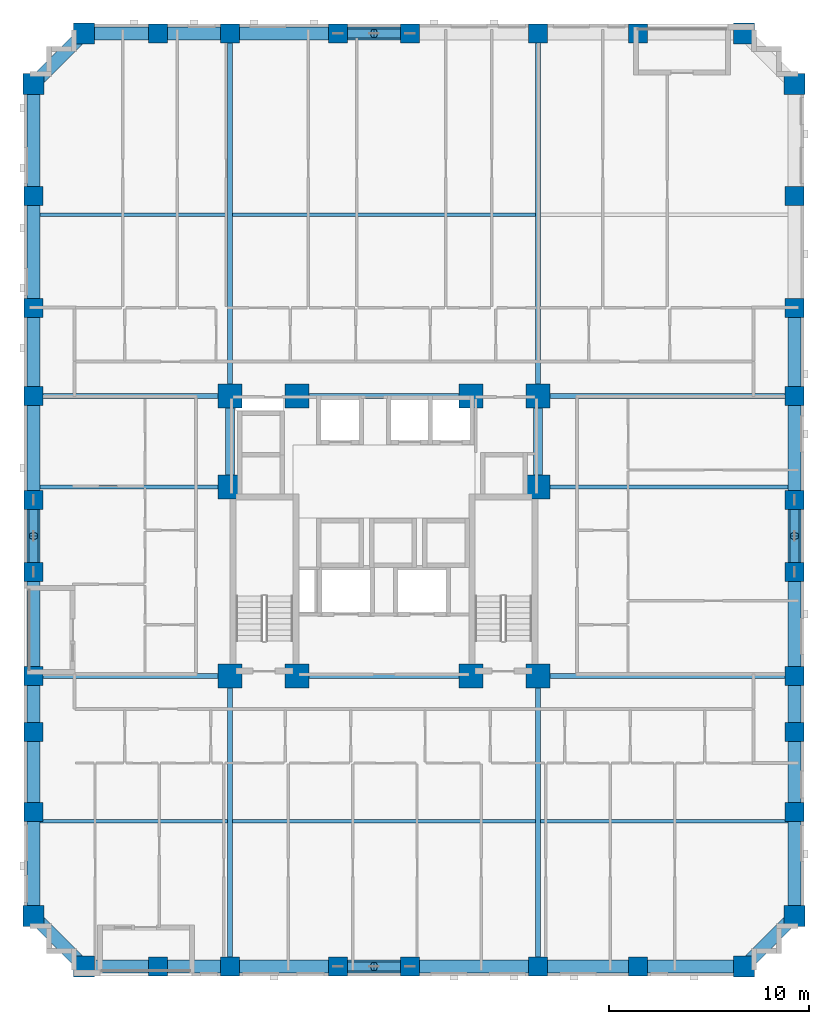
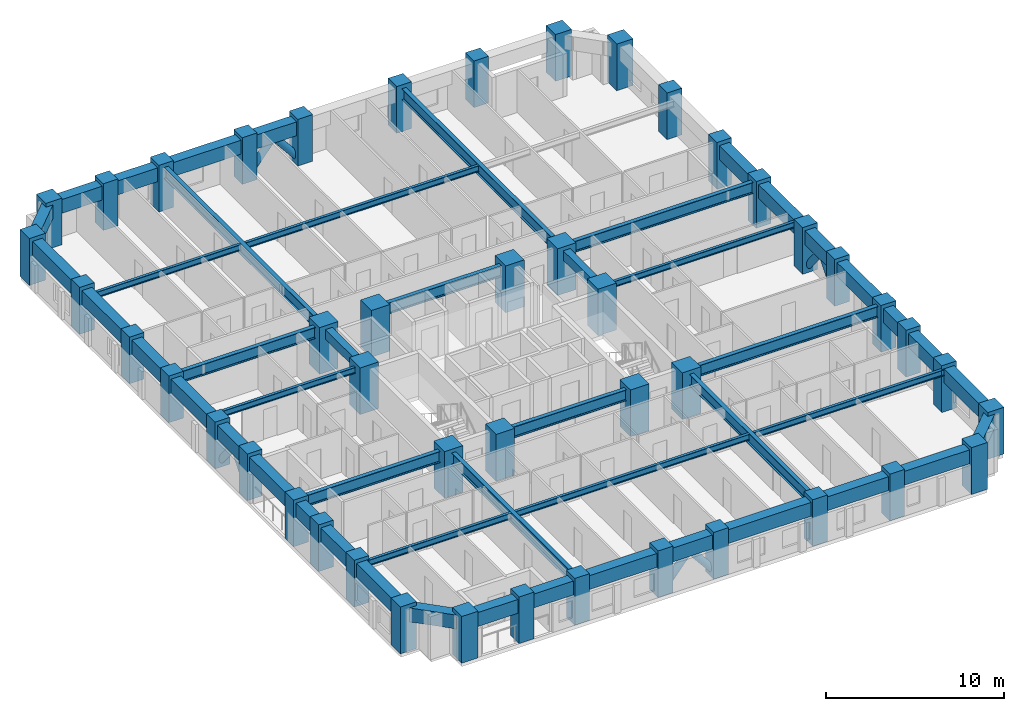
# One storey, part 1 of 14: 49 beams, 46 columns, 8 members.
"""IFC4 building model written with IfcOpenShell, lengths in metres."""

from ifc_helpers import new_model, si_unit, derived_unit, direction, frame, origin, origin_2d, place, context, subcontext, project, spatial, rectangle, hollow_circle, i_section, extrude, material, material_profile, profile_set, type_object, element, save


model = new_model("IFC4")

# Units and contexts
model_context = context("Model", 3, precision=1e-05, world=origin(), true_north=direction((0.0, 1.0)))
body_context = subcontext(model_context, "Body", "Model", "MODEL_VIEW")
ifc_project = project(units=[si_unit("LENGTHUNIT", "METRE"), si_unit("AREAUNIT", "SQUARE_METRE"), si_unit("VOLUMEUNIT", "CUBIC_METRE"), si_unit("PLANEANGLEUNIT", "RADIAN"), si_unit("MASSUNIT", "GRAM", prefix="KILO"), derived_unit("THERMALTRANSMITTANCEUNIT", [(si_unit("MASSUNIT", "GRAM", prefix="KILO"), 1), (si_unit("TIMEUNIT", "SECOND"), -3), (si_unit("THERMODYNAMICTEMPERATUREUNIT", "KELVIN"), -1)])], contexts=[model_context])

# Site, building, storey
site_placement = place(None, origin())
site = spatial("IfcSite", under=ifc_project, at=site_placement, CompositionType="ELEMENT")
building_placement = place(site_placement, origin())
building = spatial("IfcBuilding", under=site, at=building_placement, Name="Korrvale Station Residences", CompositionType="ELEMENT")
storey_placement = place(building_placement, frame((0.0, 0.0, 29.0)))
storey = spatial("IfcBuildingStorey", under=building, at=storey_placement, Name="L06", CompositionType="ELEMENT", Elevation=29.0)

# Columns
ifc_material_1 = material(Name="Concrete C70/85", Category="concrete")
ifc_material_profile_1 = material_profile(ifc_material_1, rectangle(XDim=1.050048828125, YDim=1.050048828125, at=origin_2d()), Name="RC1050x1050")
ifc_profile_set_1 = profile_set([ifc_material_profile_1], Name="Concrete C70/85")
column_type_1 = type_object("IfcColumnType", Name="COL-C-RC1050x1050-C7085", PredefinedType="COLUMN", material=ifc_profile_set_1)
for number, where, z_axis, x_axis, name in (
    (1, (10.5, 0.47998046875, 0.0), (0.0, 0.0, 1.0), (1.0, 0.0, 0.0), "L06 Bundled-Tube South Column 01"),
    (2, (43.5, 0.47998046875, 0.0), (0.0, 0.0, 1.0), (1.0, 0.0, 0.0), "L06 Bundled-Tube South Column 08"),
    (3, (10.5, 47.1201171875, 0.0), (0.0, 0.0, 1.0), (1.0, 0.0, 0.0), "L06 Bundled-Tube North Column 09"),
    (4, (43.5, 47.1201171875, 0.0), (0.0, 0.0, 1.0), (1.0, 0.0, 0.0), "L06 Bundled-Tube North Column 16"),
    (5, (7.97998046875, 3.0, 0.0), (0.0, 0.0, 1.0), (1.0, 0.0, 0.0), "L06 Bundled-Tube West Column 17"),
    (6, (7.97998046875, 44.60009765625, 0.0), (0.0, 0.0, 1.0), (1.0, 0.0, 0.0), "L06 Bundled-Tube West Column 26"),
    (7, (46.02001953125, 3.0, 0.0), (0.0, 0.0, 1.0), (1.0, 0.0, 0.0), "L06 Bundled-Tube East Column 27"),
    (8, (46.02001953125, 44.60009765625, 0.0), (0.0, 0.0, 1.0), (1.0, 0.0, 0.0), "L06 Bundled-Tube East Column 36"),
):
    element("IfcColumn", number, at=place(storey_placement, frame(where, z_axis=z_axis, x_axis=x_axis)), inside=storey, type_object=column_type_1, Name=name, PredefinedType="COLUMN", context=body_context, shape_type="SweptSolid", body=[
        extrude(rectangle(XDim=1.050048828125, YDim=1.050048828125, at=origin_2d()), origin(), (0.0, 0.0, 1.0), 3.199951171875),
    ])
ifc_material_profile_2 = material_profile(ifc_material_1, rectangle(XDim=1.199951171875, YDim=1.199951171875, at=origin_2d()), Name="RC1200x1200")
ifc_profile_set_2 = profile_set([ifc_material_profile_2], Name="Concrete C70/85")
column_type_2 = type_object("IfcColumnType", Name="COL-C-RC1200x1200-C7085", PredefinedType="COLUMN", material=ifc_profile_set_2)
for number, where, z_axis, x_axis, name in (
    (9, (17.800048828125, 15.0, 0.0), (0.0, 0.0, 1.0), (1.0, 0.0, 0.0), "L06 Core Column 01"),
    (10, (21.14990234375, 15.0, 0.0), (0.0, 0.0, 1.0), (1.0, 0.0, 0.0), "L06 Core Column 02"),
    (11, (29.85009765625, 15.0, 0.0), (0.0, 0.0, 1.0), (1.0, 0.0, 0.0), "L06 Core Column 03"),
    (12, (33.199951171875, 15.0, 0.0), (0.0, 0.0, 1.0), (1.0, 0.0, 0.0), "L06 Core Column 04"),
    (13, (17.800048828125, 29.0, 0.0), (0.0, 0.0, 1.0), (1.0, 0.0, 0.0), "L06 Core Column 05"),
    (14, (21.14990234375, 29.0, 0.0), (0.0, 0.0, 1.0), (1.0, 0.0, 0.0), "L06 Core Column 06"),
    (15, (29.85009765625, 29.0, 0.0), (0.0, 0.0, 1.0), (1.0, 0.0, 0.0), "L06 Core Column 07"),
    (16, (33.199951171875, 29.0, 0.0), (0.0, 0.0, 1.0), (1.0, 0.0, 0.0), "L06 Core Column 08"),
    (17, (17.800048828125, 24.449951171875, 0.0), (0.0, 0.0, 1.0), (1.0, 0.0, 0.0), "L06 Core Column 09"),
    (18, (33.199951171875, 24.449951171875, 0.0), (0.0, 0.0, 1.0), (1.0, 0.0, 0.0), "L06 Core Column 10"),
):
    element("IfcColumn", number, at=place(storey_placement, frame(where, z_axis=z_axis, x_axis=x_axis)), inside=storey, type_object=column_type_2, Name=name, PredefinedType="COLUMN", context=body_context, shape_type="SweptSolid", body=[
        extrude(rectangle(XDim=1.199951171875, YDim=1.199951171875, at=origin_2d()), origin(), (0.0, 0.0, 1.0), 3.199951171875),
    ])
ifc_material_profile_3 = material_profile(ifc_material_1, rectangle(XDim=0.949951171875, YDim=0.949951171875, at=origin_2d()), Name="RC950x950")
ifc_profile_set_3 = profile_set([ifc_material_profile_3], Name="Concrete C70/85")
column_type_3 = type_object("IfcColumnType", Name="COL-C-RC950x950-C7085", PredefinedType="COLUMN", material=ifc_profile_set_3)
for number, where, z_axis, x_axis, name in (
    (19, (14.199951171875, 0.47998046875, 0.0), (0.0, 0.0, 1.0), (1.0, 0.0, 0.0), "L06 Bundled-Tube South Column 02"),
    (20, (17.800048828125, 0.47998046875, 0.0), (0.0, 0.0, 1.0), (1.0, 0.0, 0.0), "L06 Bundled-Tube South Column 03"),
    (21, (23.199951171875, 0.47998046875, 0.0), (0.0, 0.0, 1.0), (1.0, 0.0, 0.0), "L06 Bundled-Tube South Column 04"),
    (22, (26.800048828125, 0.47998046875, 0.0), (0.0, 0.0, 1.0), (1.0, 0.0, 0.0), "L06 Bundled-Tube South Column 05"),
    (23, (33.199951171875, 0.47998046875, 0.0), (0.0, 0.0, 1.0), (1.0, 0.0, 0.0), "L06 Bundled-Tube South Column 06"),
    (24, (38.199951171875, 0.47998046875, 0.0), (0.0, 0.0, 1.0), (1.0, 0.0, 0.0), "L06 Bundled-Tube South Column 07"),
    (25, (14.199951171875, 47.1201171875, 0.0), (0.0, 0.0, 1.0), (1.0, 0.0, 0.0), "L06 Bundled-Tube North Column 10"),
    (26, (17.800048828125, 47.1201171875, 0.0), (0.0, 0.0, 1.0), (1.0, 0.0, 0.0), "L06 Bundled-Tube North Column 11"),
    (27, (23.199951171875, 47.1201171875, 0.0), (0.0, 0.0, 1.0), (1.0, 0.0, 0.0), "L06 Bundled-Tube North Column 12"),
    (28, (26.800048828125, 47.1201171875, 0.0), (0.0, 0.0, 1.0), (1.0, 0.0, 0.0), "L06 Bundled-Tube North Column 13"),
    (29, (33.199951171875, 47.1201171875, 0.0), (0.0, 0.0, 1.0), (1.0, 0.0, 0.0), "L06 Bundled-Tube North Column 14"),
    (30, (38.199951171875, 47.1201171875, 0.0), (0.0, 0.0, 1.0), (1.0, 0.0, 0.0), "L06 Bundled-Tube North Column 15"),
    (31, (7.97998046875, 8.199951171875, 0.0), (0.0, 0.0, 1.0), (1.0, 0.0, 0.0), "L06 Bundled-Tube West Column 18"),
    (32, (7.97998046875, 12.199951171875, 0.0), (0.0, 0.0, 1.0), (1.0, 0.0, 0.0), "L06 Bundled-Tube West Column 19"),
    (33, (7.97998046875, 15.0, 0.0), (0.0, 0.0, 1.0), (1.0, 0.0, 0.0), "L06 Bundled-Tube West Column 20"),
    (34, (7.97998046875, 20.199951171875, 0.0), (0.0, 0.0, 1.0), (1.0, 0.0, 0.0), "L06 Bundled-Tube West Column 21"),
    (35, (7.97998046875, 23.800048828125, 0.0), (0.0, 0.0, 1.0), (1.0, 0.0, 0.0), "L06 Bundled-Tube West Column 22"),
    (36, (7.97998046875, 29.0, 0.0), (0.0, 0.0, 1.0), (1.0, 0.0, 0.0), "L06 Bundled-Tube West Column 23"),
    (37, (7.97998046875, 33.39990234375, 0.0), (0.0, 0.0, 1.0), (1.0, 0.0, 0.0), "L06 Bundled-Tube West Column 24"),
    (38, (7.97998046875, 39.0, 0.0), (0.0, 0.0, 1.0), (1.0, 0.0, 0.0), "L06 Bundled-Tube West Column 25"),
    (39, (46.02001953125, 8.199951171875, 0.0), (0.0, 0.0, 1.0), (1.0, 0.0, 0.0), "L06 Bundled-Tube East Column 28"),
    (40, (46.02001953125, 12.199951171875, 0.0), (0.0, 0.0, 1.0), (1.0, 0.0, 0.0), "L06 Bundled-Tube East Column 29"),
    (41, (46.02001953125, 15.0, 0.0), (0.0, 0.0, 1.0), (1.0, 0.0, 0.0), "L06 Bundled-Tube East Column 30"),
    (42, (46.02001953125, 20.199951171875, 0.0), (0.0, 0.0, 1.0), (1.0, 0.0, 0.0), "L06 Bundled-Tube East Column 31"),
    (43, (46.02001953125, 23.800048828125, 0.0), (0.0, 0.0, 1.0), (1.0, 0.0, 0.0), "L06 Bundled-Tube East Column 32"),
    (44, (46.02001953125, 29.0, 0.0), (0.0, 0.0, 1.0), (1.0, 0.0, 0.0), "L06 Bundled-Tube East Column 33"),
    (45, (46.02001953125, 33.39990234375, 0.0), (0.0, 0.0, 1.0), (1.0, 0.0, 0.0), "L06 Bundled-Tube East Column 34"),
    (46, (46.02001953125, 39.0, 0.0), (0.0, 0.0, 1.0), (1.0, 0.0, 0.0), "L06 Bundled-Tube East Column 35"),
):
    element("IfcColumn", number, at=place(storey_placement, frame(where, z_axis=z_axis, x_axis=x_axis)), inside=storey, type_object=column_type_3, Name=name, PredefinedType="COLUMN", context=body_context, shape_type="SweptSolid", body=[
        extrude(rectangle(XDim=0.949951171875, YDim=0.949951171875, at=origin_2d()), origin(), (0.0, 0.0, 1.0), 3.199951171875),
    ])

# Beams
ifc_material_2 = material(Name="Steel S355", Category="steel")
ifc_material_profile_4 = material_profile(ifc_material_2, i_section(OverallWidth=0.26806640625, OverallDepth=0.77001953125, WebThickness=0.015625, FlangeThickness=0.025390625, FilletRadius=0.02197265625, at=origin_2d()), Name="W760x196")
ifc_profile_set_4 = profile_set([ifc_material_profile_4], Name="Steel S355")
beam_type_1 = type_object("IfcBeamType", Name="BM-BM-W760x196-S355", PredefinedType="BEAM", material=ifc_profile_set_4)
for number, where, z_axis, x_axis, name in (
    (47, (17.800048828125, 0.47998046875, 2.554931640625), (0.0, 1.0, 0.0), (-1.0, 0.0, 0.0), "L06 Bundled-Tube Web Girder 01"),
    (48, (33.199951171875, 0.47998046875, 2.554931640625), (0.0, 1.0, 0.0), (-1.0, 0.0, 0.0), "L06 Bundled-Tube Web Girder 02"),
):
    element("IfcBeam", number, at=place(storey_placement, frame(where, z_axis=z_axis, x_axis=x_axis)), inside=storey, type_object=beam_type_1, Name=name, PredefinedType="BEAM", context=body_context, shape_type="SweptSolid", body=[
        extrude(i_section(OverallWidth=0.26806640625, OverallDepth=0.77001953125, WebThickness=0.015625, FlangeThickness=0.025390625, FilletRadius=0.02197265625, at=origin_2d()), origin(), (0.0, 0.0, 1.0), 14.52001953125),
    ])
for number, where, z_axis, x_axis, name in (
    (49, (17.800048828125, 29.0, 2.554931640625), (0.0, 1.0, 0.0), (-1.0, 0.0, 0.0), "L06 Bundled-Tube Web Girder 03"),
    (50, (33.199951171875, 29.0, 2.554931640625), (0.0, 1.0, 0.0), (-1.0, 0.0, 0.0), "L06 Bundled-Tube Web Girder 04"),
):
    element("IfcBeam", number, at=place(storey_placement, frame(where, z_axis=z_axis, x_axis=x_axis)), inside=storey, type_object=beam_type_1, Name=name, PredefinedType="BEAM", context=body_context, shape_type="SweptSolid", body=[
        extrude(i_section(OverallWidth=0.26806640625, OverallDepth=0.77001953125, WebThickness=0.015625, FlangeThickness=0.025390625, FilletRadius=0.02197265625, at=origin_2d()), origin(), (0.0, 0.0, 1.0), 18.1201171875),
    ])
beam_1_placement = place(storey_placement, frame((7.97998046875, 15.0, 2.554931640625), z_axis=(1.0, 0.0, 0.0), x_axis=(0.0, 1.0, 0.0)))
element("IfcBeam", 51, at=beam_1_placement, inside=storey, type_object=beam_type_1, Name="L06 Bundled-Tube Web Girder 05", PredefinedType="BEAM", context=body_context, shape_type="SweptSolid", body=[
    extrude(i_section(OverallWidth=0.26806640625, OverallDepth=0.77001953125, WebThickness=0.015625, FlangeThickness=0.025390625, FilletRadius=0.02197265625, at=origin_2d()), origin(), (0.0, 0.0, 1.0), 9.820068359375),
])
beam_2_placement = place(storey_placement, frame((33.199951171875, 15.0, 2.554931640625), z_axis=(1.0, 0.0, 0.0), x_axis=(0.0, 1.0, 0.0)))
element("IfcBeam", 52, at=beam_2_placement, inside=storey, type_object=beam_type_1, Name="L06 Bundled-Tube Web Girder 06", PredefinedType="BEAM", context=body_context, shape_type="SweptSolid", body=[
    extrude(i_section(OverallWidth=0.26806640625, OverallDepth=0.77001953125, WebThickness=0.015625, FlangeThickness=0.025390625, FilletRadius=0.02197265625, at=origin_2d()), origin(), (0.0, 0.0, 1.0), 12.820068359375),
])
beam_3_placement = place(storey_placement, frame((7.97998046875, 29.0, 2.554931640625), z_axis=(1.0, 0.0, 0.0), x_axis=(0.0, 1.0, 0.0)))
element("IfcBeam", 53, at=beam_3_placement, inside=storey, type_object=beam_type_1, Name="L06 Bundled-Tube Web Girder 07", PredefinedType="BEAM", context=body_context, shape_type="SweptSolid", body=[
    extrude(i_section(OverallWidth=0.26806640625, OverallDepth=0.77001953125, WebThickness=0.015625, FlangeThickness=0.025390625, FilletRadius=0.02197265625, at=origin_2d()), origin(), (0.0, 0.0, 1.0), 9.820068359375),
])
beam_4_placement = place(storey_placement, frame((33.199951171875, 29.0, 2.554931640625), z_axis=(1.0, 0.0, 0.0), x_axis=(0.0, 1.0, 0.0)))
element("IfcBeam", 54, at=beam_4_placement, inside=storey, type_object=beam_type_1, Name="L06 Bundled-Tube Web Girder 08", PredefinedType="BEAM", context=body_context, shape_type="SweptSolid", body=[
    extrude(i_section(OverallWidth=0.26806640625, OverallDepth=0.77001953125, WebThickness=0.015625, FlangeThickness=0.025390625, FilletRadius=0.02197265625, at=origin_2d()), origin(), (0.0, 0.0, 1.0), 12.820068359375),
])
for number, where, z_axis, x_axis, name in (
    (55, (21.14990234375, 15.0, 2.554931640625), (1.0, 0.0, 0.0), (0.0, 1.0, 0.0), "L06 Bundled-Tube Web Girder 09"),
    (56, (21.14990234375, 29.0, 2.554931640625), (1.0, 0.0, 0.0), (0.0, 1.0, 0.0), "L06 Bundled-Tube Web Girder 10"),
):
    element("IfcBeam", number, at=place(storey_placement, frame(where, z_axis=z_axis, x_axis=x_axis)), inside=storey, type_object=beam_type_1, Name=name, PredefinedType="BEAM", context=body_context, shape_type="SweptSolid", body=[
        extrude(i_section(OverallWidth=0.26806640625, OverallDepth=0.77001953125, WebThickness=0.015625, FlangeThickness=0.025390625, FilletRadius=0.02197265625, at=origin_2d()), origin(), (0.0, 0.0, 1.0), 8.7001953125),
    ])
ifc_material_profile_5 = material_profile(ifc_material_2, i_section(OverallWidth=0.180908203125, OverallDepth=0.4169921875, WebThickness=0.010986328125, FlangeThickness=0.018310546875, FilletRadius=0.01611328125, at=origin_2d()), Name="W410x85")
ifc_profile_set_5 = profile_set([ifc_material_profile_5], Name="Steel S355")
beam_type_2 = type_object("IfcBeamType", Name="BM-JST-W410x85-S355", PredefinedType="JOIST", material=ifc_profile_set_5)
beam_5_placement = place(storey_placement, frame((8.304931640625, 7.739990234375, 2.7314453125), z_axis=(1.0, 0.0, 0.0), x_axis=(0.0, 1.0, 0.0)))
element("IfcBeam", 57, at=beam_5_placement, inside=storey, type_object=beam_type_2, Name="L06 Floor Framing Joist 01", PredefinedType="JOIST", context=body_context, shape_type="SweptSolid", body=[
    extrude(i_section(OverallWidth=0.180908203125, OverallDepth=0.4169921875, WebThickness=0.010986328125, FlangeThickness=0.018310546875, FilletRadius=0.01611328125, at=origin_2d()), origin(), (0.0, 0.0, 1.0), 9.361083984375),
])
beam_6_placement = place(storey_placement, frame((17.93408203125, 7.739990234375, 2.7314453125), z_axis=(1.0, 0.0, 0.0), x_axis=(0.0, 1.0, 0.0)))
element("IfcBeam", 58, at=beam_6_placement, inside=storey, type_object=beam_type_2, Name="L06 Floor Framing Joist 02", PredefinedType="JOIST", context=body_context, shape_type="SweptSolid", body=[
    extrude(i_section(OverallWidth=0.180908203125, OverallDepth=0.4169921875, WebThickness=0.010986328125, FlangeThickness=0.018310546875, FilletRadius=0.01611328125, at=origin_2d()), origin(), (0.0, 0.0, 1.0), 15.1318359375),
])
beam_7_placement = place(storey_placement, frame((33.333984375, 7.739990234375, 2.7314453125), z_axis=(1.0, 0.0, 0.0), x_axis=(0.0, 1.0, 0.0)))
element("IfcBeam", 59, at=beam_7_placement, inside=storey, type_object=beam_type_2, Name="L06 Floor Framing Joist 03", PredefinedType="JOIST", context=body_context, shape_type="SweptSolid", body=[
    extrude(i_section(OverallWidth=0.180908203125, OverallDepth=0.4169921875, WebThickness=0.010986328125, FlangeThickness=0.018310546875, FilletRadius=0.01611328125, at=origin_2d()), origin(), (0.0, 0.0, 1.0), 12.361083984375),
])
beam_8_placement = place(storey_placement, frame((8.304931640625, 38.06005859375, 2.7314453125), z_axis=(1.0, 0.0, 0.0), x_axis=(0.0, 1.0, 0.0)))
element("IfcBeam", 60, at=beam_8_placement, inside=storey, type_object=beam_type_2, Name="L06 Floor Framing Joist 04", PredefinedType="JOIST", context=body_context, shape_type="SweptSolid", body=[
    extrude(i_section(OverallWidth=0.180908203125, OverallDepth=0.4169921875, WebThickness=0.010986328125, FlangeThickness=0.018310546875, FilletRadius=0.01611328125, at=origin_2d()), origin(), (0.0, 0.0, 1.0), 9.361083984375),
])
beam_9_placement = place(storey_placement, frame((17.93408203125, 38.06005859375, 2.7314453125), z_axis=(1.0, 0.0, 0.0), x_axis=(0.0, 1.0, 0.0)))
element("IfcBeam", 61, at=beam_9_placement, inside=storey, type_object=beam_type_2, Name="L06 Floor Framing Joist 05", PredefinedType="JOIST", context=body_context, shape_type="SweptSolid", body=[
    extrude(i_section(OverallWidth=0.180908203125, OverallDepth=0.4169921875, WebThickness=0.010986328125, FlangeThickness=0.018310546875, FilletRadius=0.01611328125, at=origin_2d()), origin(), (0.0, 0.0, 1.0), 15.1318359375),
])
beam_10_placement = place(storey_placement, frame((33.425048828125, 24.449951171875, 2.7314453125), z_axis=(1.0, 0.0, 0.0), x_axis=(0.0, 1.0, 0.0)))
element("IfcBeam", 62, at=beam_10_placement, inside=storey, type_object=beam_type_2, Name="L06 Floor Framing Joist 07", PredefinedType="JOIST", context=body_context, shape_type="SweptSolid", body=[
    extrude(i_section(OverallWidth=0.180908203125, OverallDepth=0.4169921875, WebThickness=0.010986328125, FlangeThickness=0.018310546875, FilletRadius=0.01611328125, at=origin_2d()), origin(), (0.0, 0.0, 1.0), 12.27001953125),
])
beam_11_placement = place(storey_placement, frame((8.304931640625, 24.449951171875, 2.7314453125), z_axis=(1.0, 0.0, 0.0), x_axis=(0.0, 1.0, 0.0)))
element("IfcBeam", 63, at=beam_11_placement, inside=storey, type_object=beam_type_2, Name="L06 Floor Framing Joist 08", PredefinedType="JOIST", context=body_context, shape_type="SweptSolid", body=[
    extrude(i_section(OverallWidth=0.180908203125, OverallDepth=0.4169921875, WebThickness=0.010986328125, FlangeThickness=0.018310546875, FilletRadius=0.01611328125, at=origin_2d()), origin(), (0.0, 0.0, 1.0), 9.27001953125),
])
ifc_material_profile_6 = material_profile(ifc_material_1, rectangle(XDim=0.449951171875, YDim=0.64990234375, at=origin_2d()), Name="RCB450x650")
ifc_profile_set_6 = profile_set([ifc_material_profile_6], Name="Concrete C70/85")
beam_type_3 = type_object("IfcBeamType", Name="BM-LNT-RCB450x650-C7085", PredefinedType="LINTEL", material=ifc_profile_set_6)
for number, where, z_axis, x_axis, name in (
    (64, (17.800048828125, 24.449951171875, 2.614990234375), (0.0, 1.0, 0.0), (-1.0, 0.0, 0.0), "L06 Core Coupling Lintel 1"),
    (65, (33.199951171875, 24.449951171875, 2.614990234375), (0.0, 1.0, 0.0), (-1.0, 0.0, 0.0), "L06 Core Coupling Lintel 2"),
):
    element("IfcBeam", number, at=place(storey_placement, frame(where, z_axis=z_axis, x_axis=x_axis)), inside=storey, type_object=beam_type_3, Name=name, PredefinedType="LINTEL", context=body_context, shape_type="SweptSolid", body=[
        extrude(rectangle(XDim=0.449951171875, YDim=0.64990234375, at=origin_2d()), origin(), (0.0, 0.0, 1.0), 4.550048828125),
    ])
ifc_material_profile_7 = material_profile(ifc_material_1, rectangle(XDim=0.64990234375, YDim=0.949951171875, at=origin_2d()), Name="RCB650x950")
ifc_profile_set_7 = profile_set([ifc_material_profile_7], Name="Concrete C70/85")
beam_type_4 = type_object("IfcBeamType", Name="BM-SPB-RCB650x950-C7085", PredefinedType="SPANDREL", material=ifc_profile_set_7)
beam_12_placement = place(storey_placement, frame((10.5, 0.47998046875, 2.465087890625), z_axis=(1.0, 0.0, 0.0), x_axis=(0.0, 1.0, 0.0)))
element("IfcBeam", 66, at=beam_12_placement, inside=storey, type_object=beam_type_4, Name="L06 South Tube Spandrel 01", PredefinedType="SPANDREL", context=body_context, shape_type="SweptSolid", body=[
    extrude(rectangle(XDim=0.64990234375, YDim=0.949951171875, at=origin_2d()), origin(), (0.0, 0.0, 1.0), 3.699951171875),
])
beam_13_placement = place(storey_placement, frame((14.199951171875, 0.47998046875, 2.465087890625), z_axis=(1.0, 0.0, 0.0), x_axis=(0.0, 1.0, 0.0)))
element("IfcBeam", 67, at=beam_13_placement, inside=storey, type_object=beam_type_4, Name="L06 South Tube Spandrel 02", PredefinedType="SPANDREL", context=body_context, shape_type="SweptSolid", body=[
    extrude(rectangle(XDim=0.64990234375, YDim=0.949951171875, at=origin_2d()), origin(), (0.0, 0.0, 1.0), 3.60009765625),
])
beam_14_placement = place(storey_placement, frame((17.800048828125, 0.47998046875, 2.465087890625), z_axis=(1.0, 0.0, 0.0), x_axis=(0.0, 1.0, 0.0)))
element("IfcBeam", 68, at=beam_14_placement, inside=storey, type_object=beam_type_4, Name="L06 South Tube Spandrel 03", PredefinedType="SPANDREL", context=body_context, shape_type="SweptSolid", body=[
    extrude(rectangle(XDim=0.64990234375, YDim=0.949951171875, at=origin_2d()), origin(), (0.0, 0.0, 1.0), 5.39990234375),
])
beam_15_placement = place(storey_placement, frame((23.199951171875, 0.47998046875, 2.465087890625), z_axis=(1.0, 0.0, 0.0), x_axis=(0.0, 1.0, 0.0)))
element("IfcBeam", 69, at=beam_15_placement, inside=storey, type_object=beam_type_4, Name="L06 South Tube Spandrel 04", PredefinedType="SPANDREL", context=body_context, shape_type="SweptSolid", body=[
    extrude(rectangle(XDim=0.64990234375, YDim=0.949951171875, at=origin_2d()), origin(), (0.0, 0.0, 1.0), 3.60009765625),
])
beam_16_placement = place(storey_placement, frame((26.800048828125, 0.47998046875, 2.465087890625), z_axis=(1.0, 0.0, 0.0), x_axis=(0.0, 1.0, 0.0)))
element("IfcBeam", 70, at=beam_16_placement, inside=storey, type_object=beam_type_4, Name="L06 South Tube Spandrel 05", PredefinedType="SPANDREL", context=body_context, shape_type="SweptSolid", body=[
    extrude(rectangle(XDim=0.64990234375, YDim=0.949951171875, at=origin_2d()), origin(), (0.0, 0.0, 1.0), 6.39990234375),
])
beam_17_placement = place(storey_placement, frame((33.199951171875, 0.47998046875, 2.465087890625), z_axis=(1.0, 0.0, 0.0), x_axis=(0.0, 1.0, 0.0)))
element("IfcBeam", 71, at=beam_17_placement, inside=storey, type_object=beam_type_4, Name="L06 South Tube Spandrel 06", PredefinedType="SPANDREL", context=body_context, shape_type="SweptSolid", body=[
    extrude(rectangle(XDim=0.64990234375, YDim=0.949951171875, at=origin_2d()), origin(), (0.0, 0.0, 1.0), 5.0),
])
beam_18_placement = place(storey_placement, frame((38.199951171875, 0.47998046875, 2.465087890625), z_axis=(1.0, 0.0, 0.0), x_axis=(0.0, 1.0, 0.0)))
element("IfcBeam", 72, at=beam_18_placement, inside=storey, type_object=beam_type_4, Name="L06 South Tube Spandrel 07", PredefinedType="SPANDREL", context=body_context, shape_type="SweptSolid", body=[
    extrude(rectangle(XDim=0.64990234375, YDim=0.949951171875, at=origin_2d()), origin(), (0.0, 0.0, 1.0), 5.300048828125),
])
beam_19_placement = place(storey_placement, frame((10.5, 47.1201171875, 2.465087890625), z_axis=(1.0, 0.0, 0.0), x_axis=(0.0, 1.0, 0.0)))
element("IfcBeam", 73, at=beam_19_placement, inside=storey, type_object=beam_type_4, Name="L06 North Tube Spandrel 08", PredefinedType="SPANDREL", context=body_context, shape_type="SweptSolid", body=[
    extrude(rectangle(XDim=0.64990234375, YDim=0.949951171875, at=origin_2d()), origin(), (0.0, 0.0, 1.0), 3.699951171875),
])
beam_20_placement = place(storey_placement, frame((14.199951171875, 47.1201171875, 2.465087890625), z_axis=(1.0, 0.0, 0.0), x_axis=(0.0, 1.0, 0.0)))
element("IfcBeam", 74, at=beam_20_placement, inside=storey, type_object=beam_type_4, Name="L06 North Tube Spandrel 09", PredefinedType="SPANDREL", context=body_context, shape_type="SweptSolid", body=[
    extrude(rectangle(XDim=0.64990234375, YDim=0.949951171875, at=origin_2d()), origin(), (0.0, 0.0, 1.0), 3.60009765625),
])
beam_21_placement = place(storey_placement, frame((17.800048828125, 47.1201171875, 2.465087890625), z_axis=(1.0, 0.0, 0.0), x_axis=(0.0, 1.0, 0.0)))
element("IfcBeam", 75, at=beam_21_placement, inside=storey, type_object=beam_type_4, Name="L06 North Tube Spandrel 10", PredefinedType="SPANDREL", context=body_context, shape_type="SweptSolid", body=[
    extrude(rectangle(XDim=0.64990234375, YDim=0.949951171875, at=origin_2d()), origin(), (0.0, 0.0, 1.0), 5.39990234375),
])
beam_22_placement = place(storey_placement, frame((23.199951171875, 47.1201171875, 2.465087890625), z_axis=(1.0, 0.0, 0.0), x_axis=(0.0, 1.0, 0.0)))
element("IfcBeam", 76, at=beam_22_placement, inside=storey, type_object=beam_type_4, Name="L06 North Tube Spandrel 11", PredefinedType="SPANDREL", context=body_context, shape_type="SweptSolid", body=[
    extrude(rectangle(XDim=0.64990234375, YDim=0.949951171875, at=origin_2d()), origin(), (0.0, 0.0, 1.0), 3.60009765625),
])
beam_23_placement = place(storey_placement, frame((7.97998046875, 3.0, 2.465087890625), z_axis=(0.0, 1.0, 0.0), x_axis=(-1.0, 0.0, 0.0)))
element("IfcBeam", 77, at=beam_23_placement, inside=storey, type_object=beam_type_4, Name="L06 West Tube Spandrel 15", PredefinedType="SPANDREL", context=body_context, shape_type="SweptSolid", body=[
    extrude(rectangle(XDim=0.64990234375, YDim=0.949951171875, at=origin_2d()), origin(), (0.0, 0.0, 1.0), 5.199951171875),
])
beam_24_placement = place(storey_placement, frame((7.97998046875, 8.199951171875, 2.465087890625), z_axis=(0.0, 1.0, 0.0), x_axis=(-1.0, 0.0, 0.0)))
element("IfcBeam", 78, at=beam_24_placement, inside=storey, type_object=beam_type_4, Name="L06 West Tube Spandrel 16", PredefinedType="SPANDREL", context=body_context, shape_type="SweptSolid", body=[
    extrude(rectangle(XDim=0.64990234375, YDim=0.949951171875, at=origin_2d()), origin(), (0.0, 0.0, 1.0), 4.0),
])
beam_25_placement = place(storey_placement, frame((7.97998046875, 12.199951171875, 2.465087890625), z_axis=(0.0, 1.0, 0.0), x_axis=(-1.0, 0.0, 0.0)))
element("IfcBeam", 79, at=beam_25_placement, inside=storey, type_object=beam_type_4, Name="L06 West Tube Spandrel 17", PredefinedType="SPANDREL", context=body_context, shape_type="SweptSolid", body=[
    extrude(rectangle(XDim=0.64990234375, YDim=0.949951171875, at=origin_2d()), origin(), (0.0, 0.0, 1.0), 2.800048828125),
])
beam_26_placement = place(storey_placement, frame((7.97998046875, 15.0, 2.465087890625), z_axis=(0.0, 1.0, 0.0), x_axis=(-1.0, 0.0, 0.0)))
element("IfcBeam", 80, at=beam_26_placement, inside=storey, type_object=beam_type_4, Name="L06 West Tube Spandrel 18", PredefinedType="SPANDREL", context=body_context, shape_type="SweptSolid", body=[
    extrude(rectangle(XDim=0.64990234375, YDim=0.949951171875, at=origin_2d()), origin(), (0.0, 0.0, 1.0), 5.199951171875),
])
beam_27_placement = place(storey_placement, frame((7.97998046875, 20.199951171875, 2.465087890625), z_axis=(0.0, 1.0, 0.0), x_axis=(-1.0, 0.0, 0.0)))
element("IfcBeam", 81, at=beam_27_placement, inside=storey, type_object=beam_type_4, Name="L06 West Tube Spandrel 19", PredefinedType="SPANDREL", context=body_context, shape_type="SweptSolid", body=[
    extrude(rectangle(XDim=0.64990234375, YDim=0.949951171875, at=origin_2d()), origin(), (0.0, 0.0, 1.0), 3.60009765625),
])
beam_28_placement = place(storey_placement, frame((7.97998046875, 23.800048828125, 2.465087890625), z_axis=(0.0, 1.0, 0.0), x_axis=(-1.0, 0.0, 0.0)))
element("IfcBeam", 82, at=beam_28_placement, inside=storey, type_object=beam_type_4, Name="L06 West Tube Spandrel 20", PredefinedType="SPANDREL", context=body_context, shape_type="SweptSolid", body=[
    extrude(rectangle(XDim=0.64990234375, YDim=0.949951171875, at=origin_2d()), origin(), (0.0, 0.0, 1.0), 5.199951171875),
])
beam_29_placement = place(storey_placement, frame((7.97998046875, 29.0, 2.465087890625), z_axis=(0.0, 1.0, 0.0), x_axis=(-1.0, 0.0, 0.0)))
element("IfcBeam", 83, at=beam_29_placement, inside=storey, type_object=beam_type_4, Name="L06 West Tube Spandrel 21", PredefinedType="SPANDREL", context=body_context, shape_type="SweptSolid", body=[
    extrude(rectangle(XDim=0.64990234375, YDim=0.949951171875, at=origin_2d()), origin(), (0.0, 0.0, 1.0), 4.39990234375),
])
for number, where, z_axis, x_axis, name in (
    (84, (7.97998046875, 33.39990234375, 2.465087890625), (0.0, 1.0, 0.0), (-1.0, 0.0, 0.0), "L06 West Tube Spandrel 22"),
    (85, (7.97998046875, 39.0, 2.465087890625), (0.0, 1.0, 0.0), (-1.0, 0.0, 0.0), "L06 West Tube Spandrel 23"),
):
    element("IfcBeam", number, at=place(storey_placement, frame(where, z_axis=z_axis, x_axis=x_axis)), inside=storey, type_object=beam_type_4, Name=name, PredefinedType="SPANDREL", context=body_context, shape_type="SweptSolid", body=[
        extrude(rectangle(XDim=0.64990234375, YDim=0.949951171875, at=origin_2d()), origin(), (0.0, 0.0, 1.0), 5.60009765625),
    ])
beam_30_placement = place(storey_placement, frame((46.02001953125, 3.0, 2.465087890625), z_axis=(0.0, 1.0, 0.0), x_axis=(-1.0, 0.0, 0.0)))
element("IfcBeam", 86, at=beam_30_placement, inside=storey, type_object=beam_type_4, Name="L06 East Tube Spandrel 24", PredefinedType="SPANDREL", context=body_context, shape_type="SweptSolid", body=[
    extrude(rectangle(XDim=0.64990234375, YDim=0.949951171875, at=origin_2d()), origin(), (0.0, 0.0, 1.0), 5.199951171875),
])
beam_31_placement = place(storey_placement, frame((46.02001953125, 8.199951171875, 2.465087890625), z_axis=(0.0, 1.0, 0.0), x_axis=(-1.0, 0.0, 0.0)))
element("IfcBeam", 87, at=beam_31_placement, inside=storey, type_object=beam_type_4, Name="L06 East Tube Spandrel 25", PredefinedType="SPANDREL", context=body_context, shape_type="SweptSolid", body=[
    extrude(rectangle(XDim=0.64990234375, YDim=0.949951171875, at=origin_2d()), origin(), (0.0, 0.0, 1.0), 4.0),
])
beam_32_placement = place(storey_placement, frame((46.02001953125, 12.199951171875, 2.465087890625), z_axis=(0.0, 1.0, 0.0), x_axis=(-1.0, 0.0, 0.0)))
element("IfcBeam", 88, at=beam_32_placement, inside=storey, type_object=beam_type_4, Name="L06 East Tube Spandrel 26", PredefinedType="SPANDREL", context=body_context, shape_type="SweptSolid", body=[
    extrude(rectangle(XDim=0.64990234375, YDim=0.949951171875, at=origin_2d()), origin(), (0.0, 0.0, 1.0), 2.800048828125),
])
beam_33_placement = place(storey_placement, frame((46.02001953125, 15.0, 2.465087890625), z_axis=(0.0, 1.0, 0.0), x_axis=(-1.0, 0.0, 0.0)))
element("IfcBeam", 89, at=beam_33_placement, inside=storey, type_object=beam_type_4, Name="L06 East Tube Spandrel 27", PredefinedType="SPANDREL", context=body_context, shape_type="SweptSolid", body=[
    extrude(rectangle(XDim=0.64990234375, YDim=0.949951171875, at=origin_2d()), origin(), (0.0, 0.0, 1.0), 5.199951171875),
])
beam_34_placement = place(storey_placement, frame((46.02001953125, 20.199951171875, 2.465087890625), z_axis=(0.0, 1.0, 0.0), x_axis=(-1.0, 0.0, 0.0)))
element("IfcBeam", 90, at=beam_34_placement, inside=storey, type_object=beam_type_4, Name="L06 East Tube Spandrel 28", PredefinedType="SPANDREL", context=body_context, shape_type="SweptSolid", body=[
    extrude(rectangle(XDim=0.64990234375, YDim=0.949951171875, at=origin_2d()), origin(), (0.0, 0.0, 1.0), 3.60009765625),
])
beam_35_placement = place(storey_placement, frame((46.02001953125, 23.800048828125, 2.465087890625), z_axis=(0.0, 1.0, 0.0), x_axis=(-1.0, 0.0, 0.0)))
element("IfcBeam", 91, at=beam_35_placement, inside=storey, type_object=beam_type_4, Name="L06 East Tube Spandrel 29", PredefinedType="SPANDREL", context=body_context, shape_type="SweptSolid", body=[
    extrude(rectangle(XDim=0.64990234375, YDim=0.949951171875, at=origin_2d()), origin(), (0.0, 0.0, 1.0), 5.199951171875),
])
beam_36_placement = place(storey_placement, frame((46.02001953125, 29.0, 2.465087890625), z_axis=(0.0, 1.0, 0.0), x_axis=(-1.0, 0.0, 0.0)))
element("IfcBeam", 92, at=beam_36_placement, inside=storey, type_object=beam_type_4, Name="L06 East Tube Spandrel 30", PredefinedType="SPANDREL", context=body_context, shape_type="SweptSolid", body=[
    extrude(rectangle(XDim=0.64990234375, YDim=0.949951171875, at=origin_2d()), origin(), (0.0, 0.0, 1.0), 4.39990234375),
])
for number, where, z_axis, x_axis, name in (
    (93, (10.5, 0.47998046875, 2.465087890625), (-0.707106781187, 0.707106781187, 0.0), (-0.707106781187, -0.707106781187, 0.0), "L06 Serrated Corner Spandrel 33"),
    (94, (43.5, 0.47998046875, 2.465087890625), (0.707106781187, 0.707106781187, 0.0), (-0.707106781187, 0.707106781187, 0.0), "L06 Serrated Corner Spandrel 34"),
    (95, (10.5, 47.1201171875, 2.465087890625), (-0.707106781187, -0.707106781187, 0.0), (0.707106781187, -0.707106781187, 0.0), "L06 Serrated Corner Spandrel 36"),
):
    element("IfcBeam", number, at=place(storey_placement, frame(where, z_axis=z_axis, x_axis=x_axis)), inside=storey, type_object=beam_type_4, Name=name, PredefinedType="SPANDREL", context=body_context, shape_type="SweptSolid", body=[
        extrude(rectangle(XDim=0.64990234375, YDim=0.949951171875, at=origin_2d()), origin(), (0.0, 0.0, 1.0), 3.56396484375),
    ])

# Members
ifc_material_profile_8 = material_profile(ifc_material_2, hollow_circle(Radius=0.228515625, WallThickness=0.01904296875, at=origin_2d()), Name="HSS457x19")
ifc_profile_set_8 = profile_set([ifc_material_profile_8], Name="Steel S355")
member_type = type_object("IfcMemberType", Name="MBR-BR-HSS457x19", PredefinedType="BRACE", material=ifc_profile_set_8)
for number, where, z_axis, x_axis, name in (
    (96, (23.199951171875, 0.47998046875, 0.02001953125), (0.634985494602, 0.0, 0.772524058942), (0.0, 1.0, 0.0), "L06 S Perimeter Tube Wind Brace 1"),
    (97, (26.800048828125, 0.47998046875, 0.02001953125), (-0.634985494602, 0.0, 0.772524058942), (0.0, -1.0, 0.0), "L06 S Perimeter Tube Wind Brace 2"),
    (98, (23.199951171875, 47.1201171875, 0.02001953125), (0.634985494602, 0.0, 0.772524058942), (0.0, 1.0, 0.0), "L06 N Perimeter Tube Wind Brace 1"),
    (99, (26.800048828125, 47.1201171875, 0.02001953125), (-0.634985494602, 0.0, 0.772524058942), (0.0, -1.0, 0.0), "L06 N Perimeter Tube Wind Brace 2"),
    (100, (7.97998046875, 20.199951171875, 0.02001953125), (0.0, 0.634985494602, 0.772524058942), (-1.0, 0.0, 0.0), "L06 W Perimeter Tube Wind Brace 1"),
    (101, (7.97998046875, 23.800048828125, 0.02001953125), (0.0, -0.634985494602, 0.772524058942), (1.0, 0.0, 0.0), "L06 W Perimeter Tube Wind Brace 2"),
    (102, (46.02001953125, 20.199951171875, 0.02001953125), (0.0, 0.634985494602, 0.772524058942), (-1.0, 0.0, 0.0), "L06 E Perimeter Tube Wind Brace 1"),
    (103, (46.02001953125, 23.800048828125, 0.02001953125), (0.0, -0.634985494602, 0.772524058942), (1.0, 0.0, 0.0), "L06 E Perimeter Tube Wind Brace 2"),
):
    element("IfcMember", number, at=place(storey_placement, frame(where, z_axis=z_axis, x_axis=x_axis)), inside=storey, type_object=member_type, Name=name, PredefinedType="BRACE", context=body_context, shape_type="SweptSolid", body=[
        extrude(hollow_circle(Radius=0.228515625, WallThickness=0.01904296875, at=origin_2d()), origin(), (0.0, 0.0, 1.0), 2.834716796875),
    ])

save(model, "model.ifc")
